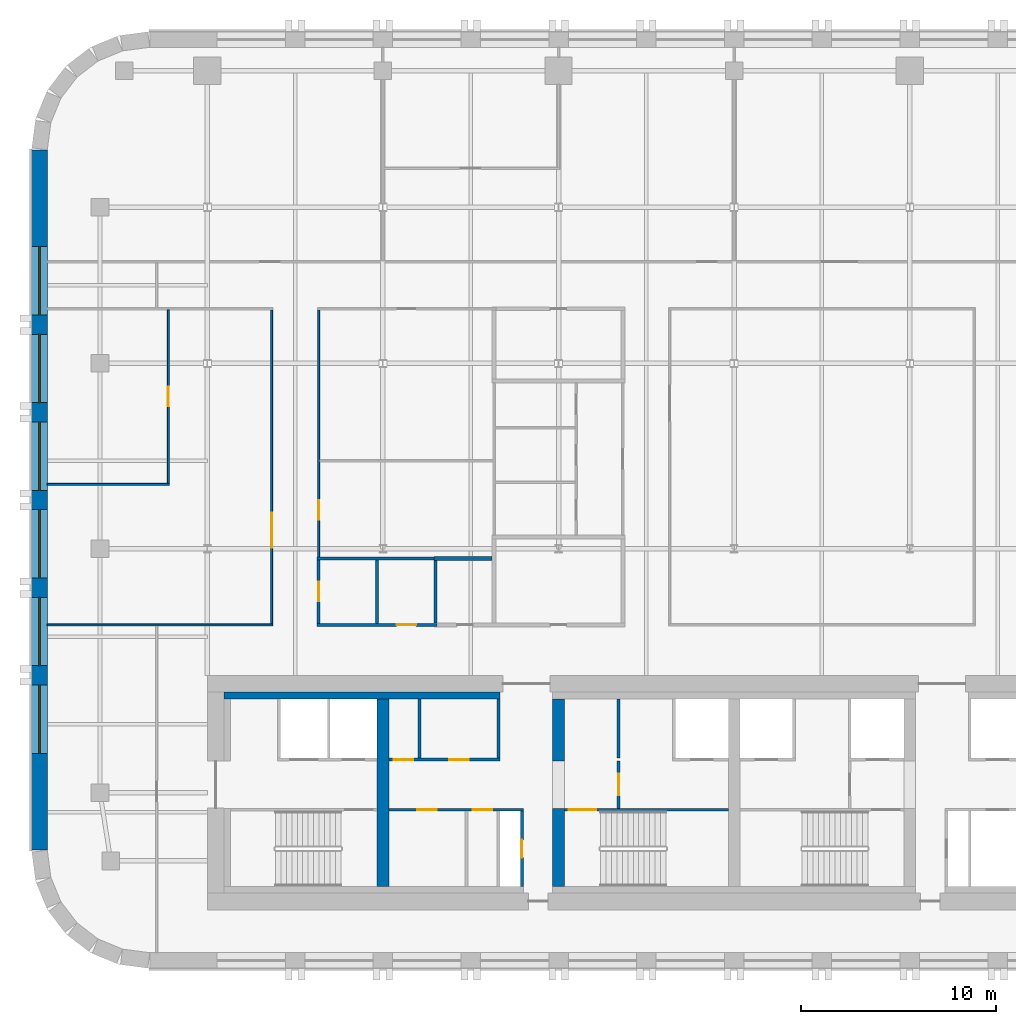
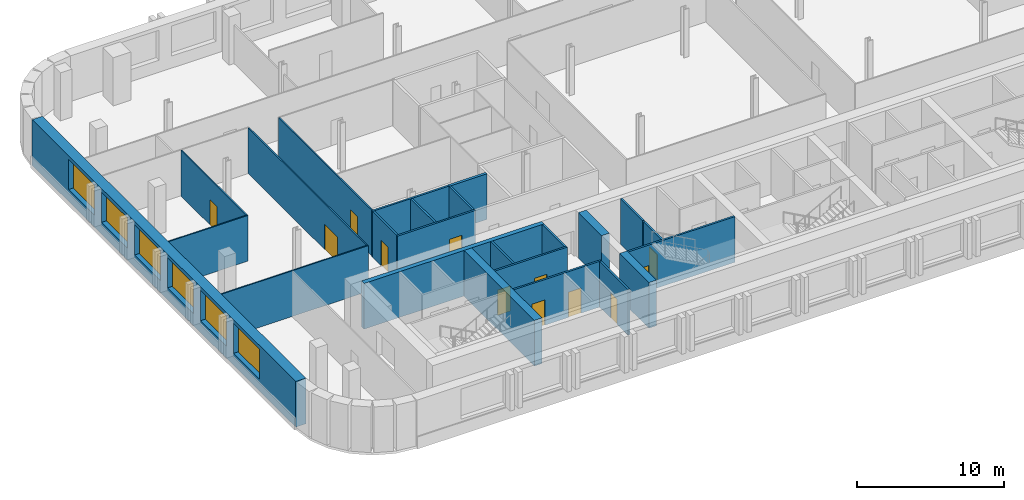
# One storey, part 3 of 10: 24 walls, 12 doors, 6 windows, 18 openings.
"""IFC4 building model written with IfcOpenShell, lengths in metres."""

from ifc_helpers import new_model, si_unit, direction, frame, frame_2d, origin, place, context, subcontext, project, spatial, rectangle, extrude, material, layer, layer_set, type_object, element, fill, save


model = new_model("IFC4")

# Units and contexts
model_context = context("Model", 3, precision=1e-05, world=origin(), true_north=direction((0.0, 1.0)))
body_context = subcontext(model_context, "Body", "Model", "MODEL_VIEW")
ifc_project = project(units=[si_unit("LENGTHUNIT", "METRE"), si_unit("AREAUNIT", "SQUARE_METRE"), si_unit("VOLUMEUNIT", "CUBIC_METRE"), si_unit("PLANEANGLEUNIT", "RADIAN"), si_unit("MASSUNIT", "GRAM", prefix="KILO")], contexts=[model_context])

# Site, building, storey
site_placement = place(None, origin())
site = spatial("IfcSite", under=ifc_project, at=site_placement, CompositionType="ELEMENT")
building_placement = place(site_placement, origin())
building = spatial("IfcBuilding", under=site, at=building_placement, Name="Zellij Exchange Tower", CompositionType="ELEMENT")
storey_placement = place(building_placement, frame((0.0, 0.0, 168.5)))
storey = spatial("IfcBuildingStorey", under=building, at=storey_placement, Name="L38", CompositionType="ELEMENT", Elevation=168.5)

# Walls
ifc_material_1 = material(Name="Concrete C60/75", Category="concrete")
ifc_layer_1 = layer(ifc_material_1, 0.60009765625)
ifc_layer_set_1 = layer_set([ifc_layer_1], Name="Concrete C60/75")
wall_type_1 = type_object("IfcWallType", Name="CORE-CW 600 C60/75", PredefinedType="SHEAR", material=ifc_layer_set_1)
wall_1_placement = place(storey_placement, frame((-18.0, -12.800048828125, 0.0), z_axis=(0.0, 0.0, 1.0), x_axis=(0.0, 1.0, 0.0)))
element("IfcWall", 1, at=wall_1_placement, inside=storey, type_object=wall_type_1, Name="Core cross wall x -18 L38", PredefinedType="SHEAR", context=body_context, shape_type="SweptSolid", body=[
    extrude(rectangle(XDim=9.60009765625, YDim=0.60009765625, at=frame_2d((4.800048828125, 0.0))), origin(), (0.0, 0.0, 1.0), 3.800048828125),
])
wall_2_placement = place(storey_placement, frame((-9.0, -12.800048828125, 0.0), z_axis=(0.0, 0.0, 1.0), x_axis=(0.0, 1.0, 0.0)))
element("IfcWall", 2, at=wall_2_placement, inside=storey, type_object=wall_type_1, Name="Core cross wall pier x -9 a L38", PredefinedType="SHEAR", context=body_context, shape_type="SweptSolid", body=[
    extrude(rectangle(XDim=4.0, YDim=0.60009765625, at=frame_2d((2.0, 0.0))), origin(), (0.0, 0.0, 1.0), 3.800048828125),
])
wall_3_placement = place(storey_placement, frame((-9.0, -6.375, 0.0), z_axis=(0.0, 0.0, 1.0), x_axis=(0.0, 1.0, 0.0)))
element("IfcWall", 3, at=wall_3_placement, inside=storey, type_object=wall_type_1, Name="Core cross wall pier x -9 b L38", PredefinedType="SHEAR", context=body_context, shape_type="SweptSolid", body=[
    extrude(rectangle(XDim=3.175048828125, YDim=0.60009765625, at=frame_2d((1.58740234375, 0.0))), origin(), (0.0, 0.0, 1.0), 3.800048828125),
])
ifc_material_2 = material(Name="Concrete C30/37", Category="concrete")
ifc_layer_2 = layer(ifc_material_2, 0.35009765625)
ifc_layer_set_2 = layer_set([ifc_layer_2], Name="Concrete C30/37")
wall_type_2 = type_object("IfcWallType", Name="CORE-LW 350 C30/37", PredefinedType="SHEAR", material=ifc_layer_set_2)
wall_4_placement = place(storey_placement, frame((-26.14990234375, -3.02490234375, 0.0), z_axis=(0.0, 0.0, 1.0), x_axis=(1.0, 0.0, 0.0)))
element("IfcWall", 4, at=wall_4_placement, inside=storey, type_object=wall_type_2, Name="Core wall lining front.0 L38", PredefinedType="SHEAR", context=body_context, shape_type="SweptSolid", body=[
    extrude(rectangle(XDim=14.14990234375, YDim=0.35009765625, at=frame_2d((7.074951171875, 0.0))), origin(), (0.0, 0.0, 1.0), 3.800048828125),
])

# Wall, opening, door
ifc_material_3 = material(Name="Gypsum shaft wall system")
ifc_layer_3 = layer(ifc_material_3, 0.14990234375)
ifc_layer_set_3 = layer_set([ifc_layer_3], Name="Gypsum shaft wall system")
wall_type_3 = type_object("IfcWallType", Name="CORE-PW 150 Firefighting lobby wall", PredefinedType="PARTITIONING", material=ifc_layer_set_3)
wall_5_placement = place(storey_placement, frame((-5.925048828125, -8.800048828125, 0.0), z_axis=(0.0, 0.0, 1.0), x_axis=(0.0, 1.0, 0.0)))
wall_5 = element("IfcWall", 5, at=wall_5_placement, inside=storey, type_object=wall_type_3, Name="Firefighting lobby wall L38", PredefinedType="PARTITIONING", context=body_context, shape_type="SweptSolid", body=[
    extrude(rectangle(XDim=2.425048828125, YDim=0.14990234375, at=frame_2d((1.21240234375, 0.0))), origin(), (0.0, 0.0, 1.0), 3.800048828125),
])
opening_1_placement = place(wall_5_placement, frame((0.662109375, 0.0, 0.0)))
opening_1 = element("IfcOpeningElement", 6, at=opening_1_placement, cuts=wall_5, Name="Opening CA-21.13", PredefinedType="OPENING", context=body_context, shape_type="SweptSolid", body=[
    extrude(rectangle(XDim=1.10009765625, YDim=2.10009765625, at=frame_2d((0.550048828125, 1.050048828125))), frame((0.0, 0.0869140625, 0.0), z_axis=(0.0, -1.0, 0.0), x_axis=(1.0, 0.0, 0.0)), (0.0, 0.0, 1.0), 0.173828125),
])
ifc_material_4 = material(Name="Hollow metal fire door")
door_type_1 = type_object("IfcDoorType", Name="CORE-D F Firefighting lobby door 1100x2100 1 HR", OperationType="NOTDEFINED", PredefinedType="DOOR", material=ifc_material_4)
door_1_placement = place(opening_1_placement, origin())
door_1 = element("IfcDoor", 7, at=door_1_placement, inside=storey, type_object=door_type_1, Name="Firefighting lobby door CA-21.13", OperationType="SINGLE_SWING_LEFT", OverallHeight=2.10009765625, OverallWidth=1.10009765625, PredefinedType="DOOR", context=body_context, shape_type="SweptSolid", body=[
    extrude(rectangle(XDim=1.10009765625, YDim=2.10009765625, at=frame_2d((0.550048828125, 1.050048828125))), frame((0.0, 0.02490234375, 0.0), z_axis=(0.0, -1.0, 0.0), x_axis=(1.0, 0.0, 0.0)), (0.0, 0.0, 1.0), 0.050048828125),
])
fill(opening_1, door_1)

# Walls
ifc_material_5 = material(Name="Gypsum board partition")
ifc_layer_4 = layer(ifc_material_5, 0.14990234375)
ifc_layer_set_4 = layer_set([ifc_layer_4], Name="Gypsum board partition")
wall_type_4 = type_object("IfcWallType", Name="CORE-PW 150 Lift lobby wall", PredefinedType="PARTITIONING", material=ifc_layer_set_4)
for number, where, z_axis, x_axis, name in (
    (8, (-12.074951171875, -6.22509765625, 0.0), (0.0, 0.0, 1.0), (0.0, 1.0, 0.0), "Lift lobby wall L38"),
    (9, (-16.125, -6.22509765625, 0.0), (0.0, 0.0, 1.0), (0.0, 1.0, 0.0), "Lift lobby wall L38"),
    (10, (-5.925048828125, -6.22509765625, 0.0), (0.0, 0.0, 1.0), (0.0, 1.0, 0.0), "Lift lobby wall L38"),
):
    element("IfcWall", number, at=place(storey_placement, frame(where, z_axis=z_axis, x_axis=x_axis)), inside=storey, type_object=wall_type_4, Name=name, PredefinedType="PARTITIONING", context=body_context, shape_type="SweptSolid", body=[
        extrude(rectangle(XDim=3.025146484375, YDim=0.14990234375, at=frame_2d((1.5126953125, 0.0))), origin(), (0.0, 0.0, 1.0), 3.800048828125),
    ])

# Wall, opening, door
wall_6_placement = place(storey_placement, frame((-10.875, -12.800048828125, 0.0), z_axis=(0.0, 0.0, 1.0), x_axis=(0.0, 1.0, 0.0)))
wall_6 = element("IfcWall", 11, at=wall_6_placement, inside=storey, type_object=wall_type_4, Name="Lift lobby wall L38", PredefinedType="PARTITIONING", context=body_context, shape_type="SweptSolid", body=[
    extrude(rectangle(XDim=3.85009765625, YDim=0.14990234375, at=frame_2d((1.925048828125, 0.0))), origin(), (0.0, 0.0, 1.0), 3.800048828125),
])
opening_2_placement = place(wall_6_placement, frame((1.47509765625, 0.0, 0.0)))
opening_2 = element("IfcOpeningElement", 12, at=opening_2_placement, cuts=wall_6, Name="Opening CA-21.09", PredefinedType="OPENING", context=body_context, shape_type="SweptSolid", body=[
    extrude(rectangle(XDim=0.89990234375, YDim=2.10009765625, at=frame_2d((0.449951171875, 1.050048828125))), frame((0.0, 0.0869140625, 0.0), z_axis=(0.0, -1.0, 0.0), x_axis=(1.0, 0.0, 0.0)), (0.0, 0.0, 1.0), 0.173828125),
])
door_type_2 = type_object("IfcDoorType", Name="CORE-D RD Riser door 900x2100 1.5 HR", OperationType="NOTDEFINED", PredefinedType="DOOR", material=ifc_material_4)
door_2_placement = place(opening_2_placement, origin())
door_2 = element("IfcDoor", 13, at=door_2_placement, inside=storey, type_object=door_type_2, Name="Riser door CA-21.09", OperationType="SINGLE_SWING_RIGHT", OverallHeight=2.10009765625, OverallWidth=0.89990234375, PredefinedType="DOOR", context=body_context, shape_type="SweptSolid", body=[
    extrude(rectangle(XDim=0.89990234375, YDim=2.10009765625, at=frame_2d((0.449951171875, 1.050048828125))), frame((0.0, 0.02490234375, 0.0), z_axis=(0.0, -1.0, 0.0), x_axis=(1.0, 0.0, 0.0)), (0.0, 0.0, 1.0), 0.050048828125),
])
fill(opening_2, door_2)

# Wall, openings, doors
wall_7_placement = place(storey_placement, frame((-17.699951171875, -6.300048828125, 0.0), z_axis=(0.0, 0.0, 1.0), x_axis=(1.0, 0.0, 0.0)))
wall_7 = element("IfcWall", 14, at=wall_7_placement, inside=storey, type_object=wall_type_4, Name="Lift lobby wall L38", PredefinedType="PARTITIONING", context=body_context, shape_type="SweptSolid", body=[
    extrude(rectangle(XDim=5.699951171875, YDim=0.14990234375, at=frame_2d((2.85009765625, 0.0))), origin(), (0.0, 0.0, 1.0), 3.800048828125),
])
opening_3_placement = place(wall_7_placement, frame((0.25, 0.0, 0.0)))
opening_3 = element("IfcOpeningElement", 15, at=opening_3_placement, cuts=wall_7, Name="Opening CA-21.05", PredefinedType="OPENING", context=body_context, shape_type="SweptSolid", body=[
    extrude(rectangle(XDim=1.0, YDim=2.10009765625, at=frame_2d((0.5, 1.050048828125))), frame((0.0, 0.0869140625, 0.0), z_axis=(0.0, -1.0, 0.0), x_axis=(1.0, 0.0, 0.0)), (0.0, 0.0, 1.0), 0.173828125),
])
opening_4_placement = place(wall_7_placement, frame((3.10009765625, 0.0, 0.0)))
opening_4 = element("IfcOpeningElement", 16, at=opening_4_placement, cuts=wall_7, Name="Opening CA-21.07", PredefinedType="OPENING", context=body_context, shape_type="SweptSolid", body=[
    extrude(rectangle(XDim=1.0, YDim=2.10009765625, at=frame_2d((0.5, 1.050048828125))), frame((0.0, 0.0869140625, 0.0), z_axis=(0.0, -1.0, 0.0), x_axis=(1.0, 0.0, 0.0)), (0.0, 0.0, 1.0), 0.173828125),
])
door_type_3 = type_object("IfcDoorType", Name="CORE-D CD Core room door 1000x2100 1 HR", OperationType="NOTDEFINED", PredefinedType="DOOR", material=ifc_material_4)
door_3_placement = place(opening_3_placement, origin())
door_3 = element("IfcDoor", 17, at=door_3_placement, inside=storey, type_object=door_type_3, Name="Core room door CA-21.05", OperationType="SINGLE_SWING_LEFT", OverallHeight=2.10009765625, OverallWidth=1.0, PredefinedType="DOOR", context=body_context, shape_type="SweptSolid", body=[
    extrude(rectangle(XDim=1.0, YDim=2.10009765625, at=frame_2d((0.5, 1.050048828125))), frame((0.0, 0.02490234375, 0.0), z_axis=(0.0, -1.0, 0.0), x_axis=(1.0, 0.0, 0.0)), (0.0, 0.0, 1.0), 0.050048828125),
])
fill(opening_3, door_3)
door_4_placement = place(opening_4_placement, origin())
door_4 = element("IfcDoor", 18, at=door_4_placement, inside=storey, type_object=door_type_3, Name="Core room door CA-21.07", OperationType="SINGLE_SWING_RIGHT", OverallHeight=2.10009765625, OverallWidth=1.0, PredefinedType="DOOR", context=body_context, shape_type="SweptSolid", body=[
    extrude(rectangle(XDim=1.0, YDim=2.10009765625, at=frame_2d((0.5, 1.050048828125))), frame((0.0, 0.02490234375, 0.0), z_axis=(0.0, -1.0, 0.0), x_axis=(1.0, 0.0, 0.0)), (0.0, 0.0, 1.0), 0.050048828125),
])
fill(opening_4, door_4)

wall_8_placement = place(storey_placement, frame((-17.699951171875, -8.875, 0.0), z_axis=(0.0, 0.0, 1.0), x_axis=(1.0, 0.0, 0.0)))
wall_8 = element("IfcWall", 19, at=wall_8_placement, inside=storey, type_object=wall_type_4, Name="Lift lobby wall L38", PredefinedType="PARTITIONING", context=body_context, shape_type="SweptSolid", body=[
    extrude(rectangle(XDim=6.89990234375, YDim=0.14990234375, at=frame_2d((3.449951171875, 0.0))), origin(), (0.0, 0.0, 1.0), 3.800048828125),
])
opening_5_placement = place(wall_8_placement, frame((1.449951171875, 0.0, 0.0)))
opening_5 = element("IfcOpeningElement", 20, at=opening_5_placement, cuts=wall_8, Name="Opening CA-21.06", PredefinedType="OPENING", context=body_context, shape_type="SweptSolid", body=[
    extrude(rectangle(XDim=1.0, YDim=2.10009765625, at=frame_2d((0.5, 1.050048828125))), frame((0.0, 0.0869140625, 0.0), z_axis=(0.0, -1.0, 0.0), x_axis=(1.0, 0.0, 0.0)), (0.0, 0.0, 1.0), 0.173828125),
])
opening_6_placement = place(wall_8_placement, frame((4.300048828125, 0.0, 0.0)))
opening_6 = element("IfcOpeningElement", 21, at=opening_6_placement, cuts=wall_8, Name="Opening CA-21.08", PredefinedType="OPENING", context=body_context, shape_type="SweptSolid", body=[
    extrude(rectangle(XDim=1.0, YDim=2.10009765625, at=frame_2d((0.5, 1.050048828125))), frame((0.0, 0.0869140625, 0.0), z_axis=(0.0, -1.0, 0.0), x_axis=(1.0, 0.0, 0.0)), (0.0, 0.0, 1.0), 0.173828125),
])
door_5_placement = place(opening_5_placement, origin())
door_5 = element("IfcDoor", 22, at=door_5_placement, inside=storey, type_object=door_type_3, Name="Core room door CA-21.06", OperationType="SINGLE_SWING_RIGHT", OverallHeight=2.10009765625, OverallWidth=1.0, PredefinedType="DOOR", context=body_context, shape_type="SweptSolid", body=[
    extrude(rectangle(XDim=1.0, YDim=2.10009765625, at=frame_2d((0.5, 1.050048828125))), frame((0.0, 0.02490234375, 0.0), z_axis=(0.0, -1.0, 0.0), x_axis=(1.0, 0.0, 0.0)), (0.0, 0.0, 1.0), 0.050048828125),
])
fill(opening_5, door_5)
door_6_placement = place(opening_6_placement, origin())
door_6 = element("IfcDoor", 23, at=door_6_placement, inside=storey, type_object=door_type_3, Name="Core room door CA-21.08", OperationType="SINGLE_SWING_LEFT", OverallHeight=2.10009765625, OverallWidth=1.0, PredefinedType="DOOR", context=body_context, shape_type="SweptSolid", body=[
    extrude(rectangle(XDim=1.0, YDim=2.10009765625, at=frame_2d((0.5, 1.050048828125))), frame((0.0, 0.02490234375, 0.0), z_axis=(0.0, -1.0, 0.0), x_axis=(1.0, 0.0, 0.0)), (0.0, 0.0, 1.0), 0.050048828125),
])
fill(opening_6, door_6)

# Wall, opening, door
ifc_layer_5 = layer(ifc_material_1, 0.14990234375)
ifc_layer_set_5 = layer_set([ifc_layer_5], Name="Concrete C60/75")
wall_type_5 = type_object("IfcWallType", Name="CORE-SWS 150 C60/75", PredefinedType="SHEAR", material=ifc_layer_set_5)
wall_9_placement = place(storey_placement, frame((-8.699951171875, -8.875, 0.0), z_axis=(0.0, 0.0, 1.0), x_axis=(1.0, 0.0, 0.0)))
wall_9 = element("IfcWall", 24, at=wall_9_placement, inside=storey, type_object=wall_type_5, Name="Stair enclosure wall L38", PredefinedType="SHEAR", context=body_context, shape_type="SweptSolid", body=[
    extrude(rectangle(XDim=8.39990234375, YDim=0.14990234375, at=frame_2d((4.199951171875, 0.0))), origin(), (0.0, 0.0, 1.0), 3.800048828125),
])
opening_7_placement = place(wall_9_placement, frame((0.22509765625, 0.0, 0.0)))
opening_7 = element("IfcOpeningElement", 25, at=opening_7_placement, cuts=wall_9, Name="Opening CA-21.12", PredefinedType="OPENING", context=body_context, shape_type="SweptSolid", body=[
    extrude(rectangle(XDim=1.39990234375, YDim=2.10009765625, at=frame_2d((0.699951171875, 1.050048828125))), frame((0.0, 0.0869140625, 0.0), z_axis=(0.0, -1.0, 0.0), x_axis=(1.0, 0.0, 0.0)), (0.0, 0.0, 1.0), 0.173828125),
])
door_type_4 = type_object("IfcDoorType", Name="CORE-D SD Stair door 1400x2100 1.5 HR", OperationType="NOTDEFINED", PredefinedType="DOOR", material=ifc_material_4)
door_7_placement = place(opening_7_placement, origin())
door_7 = element("IfcDoor", 26, at=door_7_placement, inside=storey, type_object=door_type_4, Name="Stair door CA-21.12", OperationType="DOUBLE_DOOR_SINGLE_SWING", OverallHeight=2.10009765625, OverallWidth=1.39990234375, PredefinedType="DOOR", context=body_context, shape_type="SweptSolid", body=[
    extrude(rectangle(XDim=1.39990234375, YDim=2.10009765625, at=frame_2d((0.699951171875, 1.050048828125))), frame((0.0, 0.02490234375, 0.0), z_axis=(0.0, -1.0, 0.0), x_axis=(1.0, 0.0, 0.0)), (0.0, 0.0, 1.0), 0.050048828125),
])
fill(opening_7, door_7)

# Wall, openings, windows
ifc_material_6 = material(Name="Precast concrete C40/50", Category="concrete")
ifc_layer_6 = layer(ifc_material_6, 0.800048828125)
ifc_layer_set_6 = layer_set([ifc_layer_6], Name="Precast concrete C40/50")
wall_type_6 = type_object("IfcWallType", Name="ENV-EW1 Precast stone-piered wall 800", PredefinedType="SOLIDWALL", material=ifc_layer_set_6)
wall_10_placement = place(storey_placement, frame((-35.60009765625, 24.947509765625, 0.0), z_axis=(0.0, 0.0, 1.0), x_axis=(0.0, -1.0, 0.0)))
wall_10 = element("IfcWall", 27, at=wall_10_placement, inside=storey, type_object=wall_type_6, Name="fac.L38.21", PredefinedType="SOLIDWALL", context=body_context, shape_type="SweptSolid", body=[
    extrude(rectangle(XDim=35.89501953125, YDim=0.800048828125, at=frame_2d((17.947509765625, 0.0))), origin(), (0.0, 0.0, 1.0), 3.800048828125),
])
opening_8_placement = place(wall_10_placement, frame((4.9638671875, 0.0, 1.0)))
opening_8 = element("IfcOpeningElement", 28, at=opening_8_placement, cuts=wall_10, Name="Opening FZ3.31", PredefinedType="OPENING", context=body_context, shape_type="SweptSolid", body=[
    extrude(rectangle(XDim=3.5, YDim=2.5, at=frame_2d((1.75, 1.25))), frame((0.0, 0.412109375, 0.0), z_axis=(0.0, -1.0, 0.0), x_axis=(1.0, 0.0, 0.0)), (0.0, 0.0, 1.0), 0.823974609375),
])
opening_9_placement = place(wall_10_placement, frame((9.45751953125, 0.0, 1.0)))
opening_9 = element("IfcOpeningElement", 29, at=opening_9_placement, cuts=wall_10, Name="Opening FZ3.32", PredefinedType="OPENING", context=body_context, shape_type="SweptSolid", body=[
    extrude(rectangle(XDim=3.5, YDim=2.5, at=frame_2d((1.75, 1.25))), frame((0.0, 0.412109375, 0.0), z_axis=(0.0, -1.0, 0.0), x_axis=(1.0, 0.0, 0.0)), (0.0, 0.0, 1.0), 0.823974609375),
])
opening_10_placement = place(wall_10_placement, frame((13.950927734375, 0.0, 1.0)))
opening_10 = element("IfcOpeningElement", 30, at=opening_10_placement, cuts=wall_10, Name="Opening FZ3.33", PredefinedType="OPENING", context=body_context, shape_type="SweptSolid", body=[
    extrude(rectangle(XDim=3.5, YDim=2.5, at=frame_2d((1.75, 1.25))), frame((0.0, 0.412109375, 0.0), z_axis=(0.0, -1.0, 0.0), x_axis=(1.0, 0.0, 0.0)), (0.0, 0.0, 1.0), 0.823974609375),
])
opening_11_placement = place(wall_10_placement, frame((18.4443359375, 0.0, 1.0)))
opening_11 = element("IfcOpeningElement", 31, at=opening_11_placement, cuts=wall_10, Name="Opening FZ3.34", PredefinedType="OPENING", context=body_context, shape_type="SweptSolid", body=[
    extrude(rectangle(XDim=3.5, YDim=2.5, at=frame_2d((1.75, 1.25))), frame((0.0, 0.412109375, 0.0), z_axis=(0.0, -1.0, 0.0), x_axis=(1.0, 0.0, 0.0)), (0.0, 0.0, 1.0), 0.823974609375),
])
opening_12_placement = place(wall_10_placement, frame((22.937744140625, 0.0, 1.0)))
opening_12 = element("IfcOpeningElement", 32, at=opening_12_placement, cuts=wall_10, Name="Opening FZ3.35", PredefinedType="OPENING", context=body_context, shape_type="SweptSolid", body=[
    extrude(rectangle(XDim=3.5, YDim=2.5, at=frame_2d((1.75, 1.25))), frame((0.0, 0.412109375, 0.0), z_axis=(0.0, -1.0, 0.0), x_axis=(1.0, 0.0, 0.0)), (0.0, 0.0, 1.0), 0.823974609375),
])
opening_13_placement = place(wall_10_placement, frame((27.43115234375, 0.0, 1.0)))
opening_13 = element("IfcOpeningElement", 33, at=opening_13_placement, cuts=wall_10, Name="Opening FZ3.36", PredefinedType="OPENING", context=body_context, shape_type="SweptSolid", body=[
    extrude(rectangle(XDim=3.5, YDim=2.5, at=frame_2d((1.75, 1.25))), frame((0.0, 0.412109375, 0.0), z_axis=(0.0, -1.0, 0.0), x_axis=(1.0, 0.0, 0.0)), (0.0, 0.0, 1.0), 0.823974609375),
])
ifc_material_7 = material(Name="Aluminium frame with insulating glass", Category="aluminium")
window_type = type_object("IfcWindowType", Name="ENV-W1 Window 3500x2500", PartitioningType="SINGLE_PANEL", PredefinedType="WINDOW", material=ifc_material_7)
window_1_placement = place(opening_8_placement, origin())
window_1 = element("IfcWindow", 34, at=window_1_placement, inside=storey, type_object=window_type, Name="Window FZ3.31", OverallHeight=2.5, OverallWidth=3.5, PartitioningType="SINGLE_PANEL", PredefinedType="WINDOW", context=body_context, shape_type="SweptSolid", body=[
    extrude(rectangle(XDim=3.5, YDim=2.5, at=frame_2d((1.75, 1.25))), frame((0.0, 0.030029296875, 0.0), z_axis=(0.0, -1.0, 0.0), x_axis=(1.0, 0.0, 0.0)), (0.0, 0.0, 1.0), 0.06005859375),
])
fill(opening_8, window_1)
window_2_placement = place(opening_9_placement, origin())
window_2 = element("IfcWindow", 35, at=window_2_placement, inside=storey, type_object=window_type, Name="Window FZ3.32", OverallHeight=2.5, OverallWidth=3.5, PartitioningType="SINGLE_PANEL", PredefinedType="WINDOW", context=body_context, shape_type="SweptSolid", body=[
    extrude(rectangle(XDim=3.5, YDim=2.5, at=frame_2d((1.75, 1.25))), frame((0.0, 0.030029296875, 0.0), z_axis=(0.0, -1.0, 0.0), x_axis=(1.0, 0.0, 0.0)), (0.0, 0.0, 1.0), 0.06005859375),
])
fill(opening_9, window_2)
window_3_placement = place(opening_10_placement, origin())
window_3 = element("IfcWindow", 36, at=window_3_placement, inside=storey, type_object=window_type, Name="Window FZ3.33", OverallHeight=2.5, OverallWidth=3.5, PartitioningType="SINGLE_PANEL", PredefinedType="WINDOW", context=body_context, shape_type="SweptSolid", body=[
    extrude(rectangle(XDim=3.5, YDim=2.5, at=frame_2d((1.75, 1.25))), frame((0.0, 0.030029296875, 0.0), z_axis=(0.0, -1.0, 0.0), x_axis=(1.0, 0.0, 0.0)), (0.0, 0.0, 1.0), 0.06005859375),
])
fill(opening_10, window_3)
window_4_placement = place(opening_11_placement, origin())
window_4 = element("IfcWindow", 37, at=window_4_placement, inside=storey, type_object=window_type, Name="Window FZ3.34", OverallHeight=2.5, OverallWidth=3.5, PartitioningType="SINGLE_PANEL", PredefinedType="WINDOW", context=body_context, shape_type="SweptSolid", body=[
    extrude(rectangle(XDim=3.5, YDim=2.5, at=frame_2d((1.75, 1.25))), frame((0.0, 0.030029296875, 0.0), z_axis=(0.0, -1.0, 0.0), x_axis=(1.0, 0.0, 0.0)), (0.0, 0.0, 1.0), 0.06005859375),
])
fill(opening_11, window_4)
window_5_placement = place(opening_12_placement, origin())
window_5 = element("IfcWindow", 38, at=window_5_placement, inside=storey, type_object=window_type, Name="Window FZ3.35", OverallHeight=2.5, OverallWidth=3.5, PartitioningType="SINGLE_PANEL", PredefinedType="WINDOW", context=body_context, shape_type="SweptSolid", body=[
    extrude(rectangle(XDim=3.5, YDim=2.5, at=frame_2d((1.75, 1.25))), frame((0.0, 0.030029296875, 0.0), z_axis=(0.0, -1.0, 0.0), x_axis=(1.0, 0.0, 0.0)), (0.0, 0.0, 1.0), 0.06005859375),
])
fill(opening_12, window_5)
window_6_placement = place(opening_13_placement, origin())
window_6 = element("IfcWindow", 39, at=window_6_placement, inside=storey, type_object=window_type, Name="Window FZ3.36", OverallHeight=2.5, OverallWidth=3.5, PartitioningType="SINGLE_PANEL", PredefinedType="WINDOW", context=body_context, shape_type="SweptSolid", body=[
    extrude(rectangle(XDim=3.5, YDim=2.5, at=frame_2d((1.75, 1.25))), frame((0.0, 0.030029296875, 0.0), z_axis=(0.0, -1.0, 0.0), x_axis=(1.0, 0.0, 0.0)), (0.0, 0.0, 1.0), 0.06005859375),
])
fill(opening_13, window_6)

# Walls
ifc_material_8 = material(Name="Blockwork partition", Category="masonry")
ifc_layer_7 = layer(ifc_material_8, 0.199951171875)
ifc_layer_set_7 = layer_set([ifc_layer_7], Name="Blockwork partition")
wall_type_7 = type_object("IfcWallType", Name="FIT-BLOCKWORK-200", PredefinedType="PARTITIONING", material=ifc_layer_set_7)
wall_11_placement = place(storey_placement, frame((-15.375, 4.0, 0.0), z_axis=(0.0, 0.0, 1.0), x_axis=(1.0, 0.0, 0.0)))
element("IfcWall", 40, at=wall_11_placement, inside=storey, type_object=wall_type_7, Name="FIT-BLOCKWORK-200 019", PredefinedType="PARTITIONING", context=body_context, shape_type="SweptSolid", body=[
    extrude(rectangle(XDim=2.97509765625, YDim=0.199951171875, at=frame_2d((1.487548828125, 0.0))), origin(), (0.0, 0.0, 1.0), 3.800048828125),
])
ifc_material_9 = material(Name="Gypsum board partition on steel studs", Category="steel")
ifc_layer_8 = layer(ifc_material_9, 0.10009765625)
ifc_layer_set_8 = layer_set([ifc_layer_8], Name="Gypsum board partition on steel studs")
wall_type_8 = type_object("IfcWallType", Name="FIT-PARTITION-100", PredefinedType="PARTITIONING", material=ifc_layer_set_8)
wall_12_placement = place(storey_placement, frame((-35.199951171875, 0.60009765625, 0.0), z_axis=(0.0, 0.0, 1.0), x_axis=(1.0, 0.0, 0.0)))
element("IfcWall", 41, at=wall_12_placement, inside=storey, type_object=wall_type_8, Name="FIT-PARTITION-100 003", PredefinedType="PARTITIONING", context=body_context, shape_type="SweptSolid", body=[
    extrude(rectangle(XDim=11.550048828125, YDim=0.10009765625, at=frame_2d((5.77490234375, 0.0))), origin(), (0.0, 0.0, 1.0), 3.800048828125),
])

# Wall, opening, door
wall_13_placement = place(storey_placement, frame((-23.699951171875, 0.64990234375, 0.0), z_axis=(0.0, 0.0, 1.0), x_axis=(0.0, 1.0, 0.0)))
wall_13 = element("IfcWall", 42, at=wall_13_placement, inside=storey, type_object=wall_type_8, Name="FIT-PARTITION-100 004", PredefinedType="PARTITIONING", context=body_context, shape_type="SweptSolid", body=[
    extrude(rectangle(XDim=16.10009765625, YDim=0.10009765625, at=frame_2d((8.050048828125, 0.0))), origin(), (0.0, 0.0, 1.0), 3.800048828125),
])
opening_14_placement = place(wall_13_placement, frame((3.89990234375, 0.0, 0.0)))
opening_14 = element("IfcOpeningElement", 43, at=opening_14_placement, cuts=wall_13, Name="Opening O3A.07", PredefinedType="OPENING", context=body_context, shape_type="SweptSolid", body=[
    extrude(rectangle(XDim=1.800048828125, YDim=2.10009765625, at=frame_2d((0.89990234375, 1.050048828125))), frame((0.0, 0.06201171875, 0.0), z_axis=(0.0, -1.0, 0.0), x_axis=(1.0, 0.0, 0.0)), (0.0, 0.0, 1.0), 0.1240234375),
])
ifc_material_10 = material(Name="Timber door set", Category="wood")
door_type_5 = type_object("IfcDoorType", Name="FIT-D3-DOUBLE-1800X2100", OperationType="DOUBLE_DOOR_SINGLE_SWING", PredefinedType="DOOR", material=ifc_material_10)
door_8_placement = place(opening_14_placement, origin())
door_8 = element("IfcDoor", 44, at=door_8_placement, inside=storey, type_object=door_type_5, Name="Door O3A.07", OperationType="DOUBLE_DOOR_SINGLE_SWING", OverallHeight=2.10009765625, OverallWidth=1.800048828125, PredefinedType="DOOR", context=body_context, shape_type="SweptSolid", body=[
    extrude(rectangle(XDim=1.800048828125, YDim=2.10009765625, at=frame_2d((0.89990234375, 1.050048828125))), frame((0.0, 0.02490234375, 0.0), z_axis=(0.0, -1.0, 0.0), x_axis=(1.0, 0.0, 0.0)), (0.0, 0.0, 1.0), 0.050048828125),
])
fill(opening_14, door_8)

wall_14_placement = place(storey_placement, frame((-21.300048828125, 4.074951171875, 0.0), z_axis=(0.0, 0.0, 1.0), x_axis=(0.0, 1.0, 0.0)))
wall_14 = element("IfcWall", 45, at=wall_14_placement, inside=storey, type_object=wall_type_8, Name="FIT-PARTITION-100 018", PredefinedType="PARTITIONING", context=body_context, shape_type="SweptSolid", body=[
    extrude(rectangle(XDim=12.675048828125, YDim=0.10009765625, at=frame_2d((6.33740234375, 0.0))), origin(), (0.0, 0.0, 1.0), 3.800048828125),
])
opening_15_placement = place(wall_14_placement, frame((1.925048828125, 0.0, 0.0)))
opening_15 = element("IfcOpeningElement", 46, at=opening_15_placement, cuts=wall_14, Name="Opening O3A.09", PredefinedType="OPENING", context=body_context, shape_type="SweptSolid", body=[
    extrude(rectangle(XDim=1.0, YDim=2.10009765625, at=frame_2d((0.5, 1.050048828125))), frame((0.0, 0.06201171875, 0.0), z_axis=(0.0, -1.0, 0.0), x_axis=(1.0, 0.0, 0.0)), (0.0, 0.0, 1.0), 0.1240234375),
])
door_type_6 = type_object("IfcDoorType", Name="FIT-D2-WIDE-1000X2100", OperationType="SINGLE_SWING_LEFT", PredefinedType="DOOR", material=ifc_material_10)
door_9_placement = place(opening_15_placement, origin())
door_9 = element("IfcDoor", 47, at=door_9_placement, inside=storey, type_object=door_type_6, Name="Door O3A.09", OperationType="SINGLE_SWING_LEFT", OverallHeight=2.10009765625, OverallWidth=1.0, PredefinedType="DOOR", context=body_context, shape_type="SweptSolid", body=[
    extrude(rectangle(XDim=1.0, YDim=2.10009765625, at=frame_2d((0.5, 1.050048828125))), frame((0.0, 0.02490234375, 0.0), z_axis=(0.0, -1.0, 0.0), x_axis=(1.0, 0.0, 0.0)), (0.0, 0.0, 1.0), 0.050048828125),
])
fill(opening_15, door_9)

# Wall
wall_15_placement = place(storey_placement, frame((-35.199951171875, 7.800048828125, 0.0), z_axis=(0.0, 0.0, 1.0), x_axis=(1.0, 0.0, 0.0)))
element("IfcWall", 48, at=wall_15_placement, inside=storey, type_object=wall_type_8, Name="FIT-PARTITION-100 024", PredefinedType="PARTITIONING", context=body_context, shape_type="SweptSolid", body=[
    extrude(rectangle(XDim=6.25, YDim=0.10009765625, at=frame_2d((3.125, 0.0))), origin(), (0.0, 0.0, 1.0), 3.800048828125),
])

# Wall, opening, door
wall_16_placement = place(storey_placement, frame((-29.0, 7.85009765625, 0.0), z_axis=(0.0, 0.0, 1.0), x_axis=(0.0, 1.0, 0.0)))
wall_16 = element("IfcWall", 49, at=wall_16_placement, inside=storey, type_object=wall_type_8, Name="FIT-PARTITION-100 025", PredefinedType="PARTITIONING", context=body_context, shape_type="SweptSolid", body=[
    extrude(rectangle(XDim=8.89990234375, YDim=0.10009765625, at=frame_2d((4.449951171875, 0.0))), origin(), (0.0, 0.0, 1.0), 3.800048828125),
])
opening_16_placement = place(wall_16_placement, frame((3.949951171875, 0.0, 0.0)))
opening_16 = element("IfcOpeningElement", 50, at=opening_16_placement, cuts=wall_16, Name="Opening O3A.15", PredefinedType="OPENING", context=body_context, shape_type="SweptSolid", body=[
    extrude(rectangle(XDim=1.0, YDim=2.10009765625, at=frame_2d((0.5, 1.050048828125))), frame((0.0, 0.06201171875, 0.0), z_axis=(0.0, -1.0, 0.0), x_axis=(1.0, 0.0, 0.0)), (0.0, 0.0, 1.0), 0.1240234375),
])
door_10_placement = place(opening_16_placement, origin())
door_10 = element("IfcDoor", 51, at=door_10_placement, inside=storey, type_object=door_type_6, Name="Door O3A.15", OperationType="SINGLE_SWING_LEFT", OverallHeight=2.10009765625, OverallWidth=1.0, PredefinedType="DOOR", context=body_context, shape_type="SweptSolid", body=[
    extrude(rectangle(XDim=1.0, YDim=2.10009765625, at=frame_2d((0.5, 1.050048828125))), frame((0.0, 0.02490234375, 0.0), z_axis=(0.0, -1.0, 0.0), x_axis=(1.0, 0.0, 0.0)), (0.0, 0.0, 1.0), 0.050048828125),
])
fill(opening_16, door_10)

ifc_material_11 = material(Name="Gypsum board shaft-wall partition", Category="gypsum")
ifc_layer_9 = layer(ifc_material_11, 0.14990234375)
ifc_layer_set_9 = layer_set([ifc_layer_9], Name="Gypsum board shaft-wall partition")
wall_type_9 = type_object("IfcWallType", Name="FIT-PARTITION-150-EI60", PredefinedType="PARTITIONING", material=ifc_layer_set_9)
wall_17_placement = place(storey_placement, frame((-21.375, 0.60009765625, 0.0), z_axis=(0.0, 0.0, 1.0), x_axis=(1.0, 0.0, 0.0)))
wall_17 = element("IfcWall", 52, at=wall_17_placement, inside=storey, type_object=wall_type_9, Name="FIT-PARTITION-150-EI60 005", PredefinedType="PARTITIONING", context=body_context, shape_type="SweptSolid", body=[
    extrude(rectangle(XDim=6.14990234375, YDim=0.14990234375, at=frame_2d((3.074951171875, 0.0))), origin(), (0.0, 0.0, 1.0), 3.800048828125),
])
opening_17_placement = place(wall_17_placement, frame((4.074951171875, 0.0, 0.0)))
opening_17 = element("IfcOpeningElement", 53, at=opening_17_placement, cuts=wall_17, Name="Opening O3A.03", PredefinedType="OPENING", context=body_context, shape_type="SweptSolid", body=[
    extrude(rectangle(XDim=1.0, YDim=2.10009765625, at=frame_2d((0.5, 1.050048828125))), frame((0.0, 0.0869140625, 0.0), z_axis=(0.0, -1.0, 0.0), x_axis=(1.0, 0.0, 0.0)), (0.0, 0.0, 1.0), 0.173828125),
])
ifc_material_12 = material(Name="Steel fire door set", Category="steel")
door_type_7 = type_object("IfcDoorType", Name="FIT-D4-FIRE-1000X2100", OperationType="SINGLE_SWING_LEFT", PredefinedType="DOOR", material=ifc_material_12)
door_11_placement = place(opening_17_placement, origin())
door_11 = element("IfcDoor", 54, at=door_11_placement, inside=storey, type_object=door_type_7, Name="Door O3A.03", OperationType="SINGLE_SWING_LEFT", OverallHeight=2.10009765625, OverallWidth=1.0, PredefinedType="DOOR", context=body_context, shape_type="SweptSolid", body=[
    extrude(rectangle(XDim=1.0, YDim=2.10009765625, at=frame_2d((0.5, 1.050048828125))), frame((0.0, 0.02490234375, 0.0), z_axis=(0.0, -1.0, 0.0), x_axis=(1.0, 0.0, 0.0)), (0.0, 0.0, 1.0), 0.050048828125),
])
fill(opening_17, door_11)

wall_18_placement = place(storey_placement, frame((-21.300048828125, 0.675048828125, 0.0), z_axis=(0.0, 0.0, 1.0), x_axis=(0.0, 1.0, 0.0)))
wall_18 = element("IfcWall", 55, at=wall_18_placement, inside=storey, type_object=wall_type_9, Name="FIT-PARTITION-150-EI60 006", PredefinedType="PARTITIONING", context=body_context, shape_type="SweptSolid", body=[
    extrude(rectangle(XDim=3.25, YDim=0.14990234375, at=frame_2d((1.625, 0.0))), origin(), (0.0, 0.0, 1.0), 3.800048828125),
])
opening_18_placement = place(wall_18_placement, frame((1.125, 0.0, 0.0)))
opening_18 = element("IfcOpeningElement", 56, at=opening_18_placement, cuts=wall_18, Name="Opening O3A.06", PredefinedType="OPENING", context=body_context, shape_type="SweptSolid", body=[
    extrude(rectangle(XDim=1.0, YDim=2.10009765625, at=frame_2d((0.5, 1.050048828125))), frame((0.0, 0.0869140625, 0.0), z_axis=(0.0, -1.0, 0.0), x_axis=(1.0, 0.0, 0.0)), (0.0, 0.0, 1.0), 0.173828125),
])
door_12_placement = place(opening_18_placement, origin())
door_12 = element("IfcDoor", 57, at=door_12_placement, inside=storey, type_object=door_type_7, Name="Door O3A.06", OperationType="SINGLE_SWING_RIGHT", OverallHeight=2.10009765625, OverallWidth=1.0, PredefinedType="DOOR", context=body_context, shape_type="SweptSolid", body=[
    extrude(rectangle(XDim=1.0, YDim=2.10009765625, at=frame_2d((0.5, 1.050048828125))), frame((0.0, 0.02490234375, 0.0), z_axis=(0.0, -1.0, 0.0), x_axis=(1.0, 0.0, 0.0)), (0.0, 0.0, 1.0), 0.050048828125),
])
fill(opening_18, door_12)

# Walls
wall_19_placement = place(storey_placement, frame((-18.300048828125, 0.675048828125, 0.0), z_axis=(0.0, 0.0, 1.0), x_axis=(0.0, 1.0, 0.0)))
element("IfcWall", 58, at=wall_19_placement, inside=storey, type_object=wall_type_9, Name="FIT-PARTITION-150-EI60 007", PredefinedType="PARTITIONING", context=body_context, shape_type="SweptSolid", body=[
    extrude(rectangle(XDim=3.25, YDim=0.14990234375, at=frame_2d((1.625, 0.0))), origin(), (0.0, 0.0, 1.0), 3.800048828125),
])
wall_20_placement = place(storey_placement, frame((-15.300048828125, 0.699951171875, 0.0), z_axis=(0.0, 0.0, 1.0), x_axis=(0.0, 1.0, 0.0)))
element("IfcWall", 59, at=wall_20_placement, inside=storey, type_object=wall_type_9, Name="FIT-PARTITION-150-EI60 009", PredefinedType="PARTITIONING", context=body_context, shape_type="SweptSolid", body=[
    extrude(rectangle(XDim=3.199951171875, YDim=0.14990234375, at=frame_2d((1.60009765625, 0.0))), origin(), (0.0, 0.0, 1.0), 3.800048828125),
])
wall_21_placement = place(storey_placement, frame((-21.375, 4.0, 0.0), z_axis=(0.0, 0.0, 1.0), x_axis=(1.0, 0.0, 0.0)))
element("IfcWall", 60, at=wall_21_placement, inside=storey, type_object=wall_type_9, Name="FIT-PARTITION-150-EI60 017", PredefinedType="PARTITIONING", context=body_context, shape_type="SweptSolid", body=[
    extrude(rectangle(XDim=6.14990234375, YDim=0.14990234375, at=frame_2d((3.074951171875, 0.0))), origin(), (0.0, 0.0, 1.0), 3.800048828125),
])

save(model, "model.ifc")
